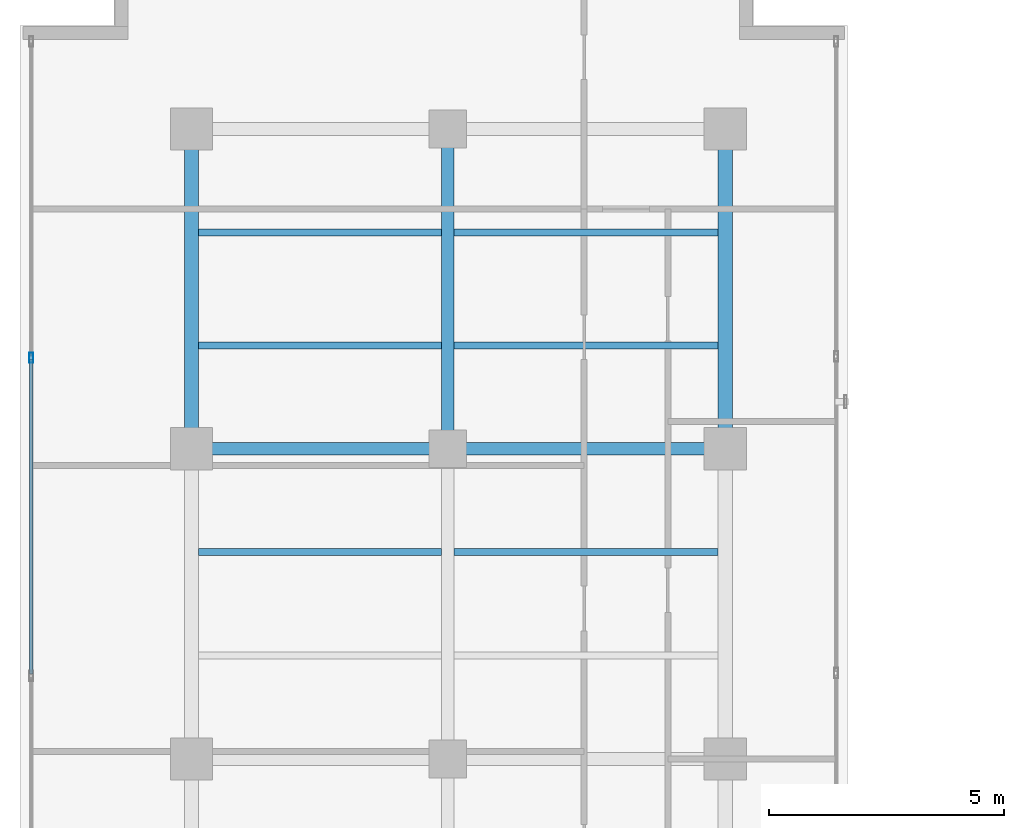
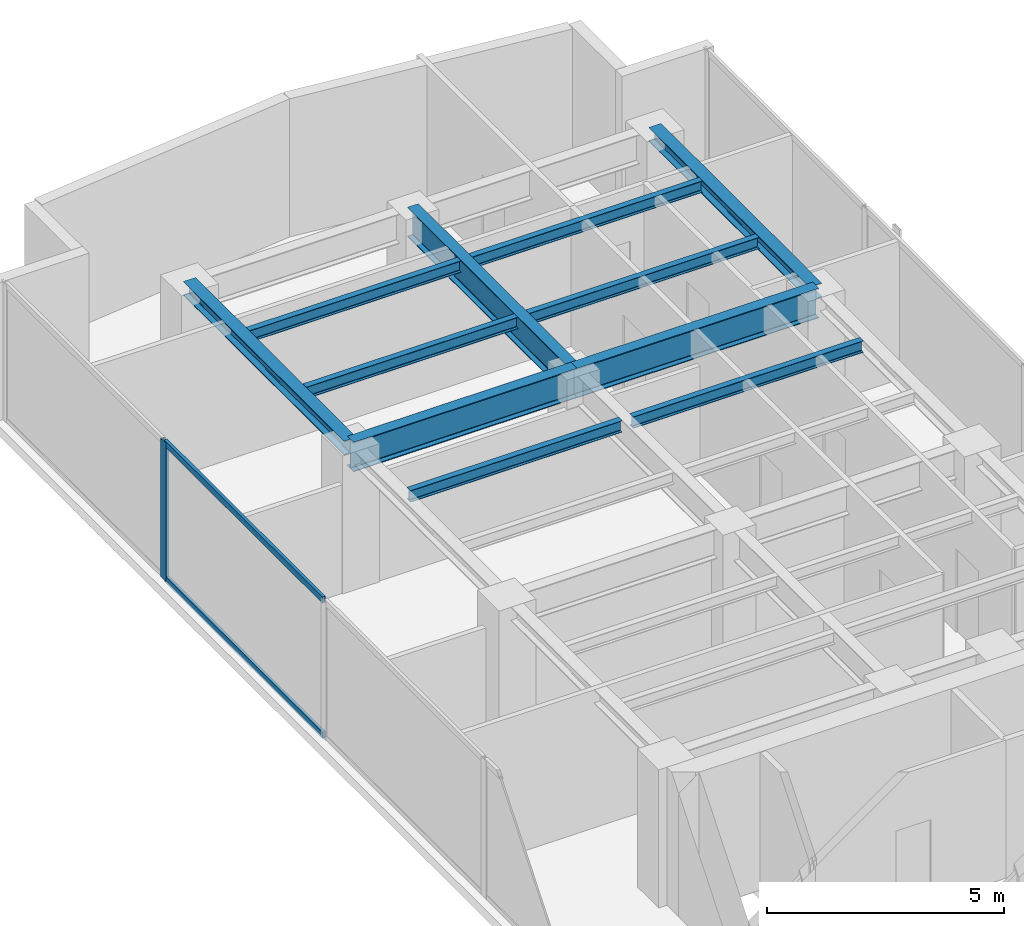
# One storey, part 13 of 22: 11 beams, 3 members, 1 element without a shape of its own.
"""IFC4 building model written with IfcOpenShell, lengths in metres."""

from ifc_helpers import new_model, si_unit, direction, frame, origin, origin_with_axes, origin_2d, place, context, subcontext, project, spatial, hollow_rectangle, i_section, extrude, source, transform, mapped, material, layer, layer_set, material_profile, profile_set, type_object, element, aggregate, save


model = new_model("IFC4")

# Units and contexts
model_context = context("Model", 3, precision=1e-05, world=origin(), true_north=direction((0.0, 1.0)))
body_context = subcontext(model_context, "Body", "Model", "MODEL_VIEW")
ifc_project = project(units=[si_unit("LENGTHUNIT", "METRE"), si_unit("AREAUNIT", "SQUARE_METRE"), si_unit("VOLUMEUNIT", "CUBIC_METRE"), si_unit("PLANEANGLEUNIT", "RADIAN"), si_unit("MASSUNIT", "GRAM", prefix="KILO")], contexts=[model_context])

# Site, building, storey
site_placement = place(None, origin())
site = spatial("IfcSite", under=ifc_project, at=site_placement, CompositionType="ELEMENT")
building_placement = place(site_placement, origin())
building = spatial("IfcBuilding", under=site, at=building_placement, Name="Kolvaren Waterfront Exchange", CompositionType="ELEMENT")
storey_placement = place(building_placement, frame((0.0, 0.0, 262.800048828125)))
storey = spatial("IfcBuildingStorey", under=building, at=storey_placement, Name="L67", CompositionType="ELEMENT", Elevation=262.800048828125)

# Beams
ifc_material_1 = material(Name="Steel S355", Category="steel")
ifc_material_profile_1 = material_profile(ifc_material_1, i_section(OverallWidth=0.300048828125, OverallDepth=0.360107421875, WebThickness=0.012451171875, FlangeThickness=0.0224609375, FilletRadius=0.027099609375, at=origin_2d()), Name="HEB360")
ifc_profile_set_1 = profile_set([ifc_material_profile_1], Name="Steel S355")
beam_type_1 = type_object("IfcBeamType", Name="STR-BM-HEB360", PredefinedType="SPANDREL", material=ifc_profile_set_1)
for number, where, z_axis, x_axis, name in (
    (1, (7.449951171875, 37.800048828125, 3.3798828125), (0.0, 1.0, 0.0), (-1.0, 0.0, 0.0), "L67 north-arm edge beam 3"),
    (2, (18.800048828125, 37.800048828125, 3.3798828125), (0.0, 1.0, 0.0), (-1.0, 0.0, 0.0), "L67 north-arm edge beam 3"),
):
    element("IfcBeam", number, at=place(storey_placement, frame(where, z_axis=z_axis, x_axis=x_axis)), inside=storey, type_object=beam_type_1, Name=name, PredefinedType="SPANDREL", context=body_context, shape_type="SweptSolid", body=[
        extrude(i_section(OverallWidth=0.300048828125, OverallDepth=0.360107421875, WebThickness=0.012451171875, FlangeThickness=0.0224609375, FilletRadius=0.027099609375, at=origin_2d()), origin(), (0.0, 0.0, 1.0), 6.800048828125),
    ])
ifc_material_profile_2 = material_profile(ifc_material_1, i_section(OverallWidth=0.14990234375, OverallDepth=0.300048828125, WebThickness=0.007080078125, FlangeThickness=0.0107421875, FilletRadius=0.014892578125, at=origin_2d()), Name="IPE300")
ifc_profile_set_2 = profile_set([ifc_material_profile_2], Name="Steel S355")
beam_type_2 = type_object("IfcBeamType", Name="STR-BM-IPE300", PredefinedType="JOIST", material=ifc_profile_set_2)
beam_1_placement = place(storey_placement, frame((7.60205078125, 35.60009765625, 3.409912109375), z_axis=(1.0, 0.0, 0.0), x_axis=(0.0, 1.0, 0.0)))
element("IfcBeam", 3, at=beam_1_placement, inside=storey, type_object=beam_type_2, Name="L67 north-arm composite joist 4A", PredefinedType="JOIST", context=body_context, shape_type="SweptSolid", body=[
    extrude(i_section(OverallWidth=0.14990234375, OverallDepth=0.300048828125, WebThickness=0.007080078125, FlangeThickness=0.0107421875, FilletRadius=0.014892578125, at=origin_2d()), origin(), (0.0, 0.0, 1.0), 5.162353515625),
])
beam_2_placement = place(storey_placement, frame((13.035400390625, 35.60009765625, 3.409912109375), z_axis=(1.0, 0.0, 0.0), x_axis=(0.0, 1.0, 0.0)))
element("IfcBeam", 4, at=beam_2_placement, inside=storey, type_object=beam_type_2, Name="L67 north-arm composite joist 4B", PredefinedType="JOIST", context=body_context, shape_type="SweptSolid", body=[
    extrude(i_section(OverallWidth=0.14990234375, OverallDepth=0.300048828125, WebThickness=0.007080078125, FlangeThickness=0.0107421875, FilletRadius=0.014892578125, at=origin_2d()), origin(), (0.0, 0.0, 1.0), 5.612548828125),
])
beam_3_placement = place(storey_placement, frame((7.60205078125, 40.0, 3.409912109375), z_axis=(1.0, 0.0, 0.0), x_axis=(0.0, 1.0, 0.0)))
element("IfcBeam", 5, at=beam_3_placement, inside=storey, type_object=beam_type_2, Name="L67 north-arm composite joist 5A", PredefinedType="JOIST", context=body_context, shape_type="SweptSolid", body=[
    extrude(i_section(OverallWidth=0.14990234375, OverallDepth=0.300048828125, WebThickness=0.007080078125, FlangeThickness=0.0107421875, FilletRadius=0.014892578125, at=origin_2d()), origin(), (0.0, 0.0, 1.0), 5.162353515625),
])
beam_4_placement = place(storey_placement, frame((13.035400390625, 40.0, 3.409912109375), z_axis=(1.0, 0.0, 0.0), x_axis=(0.0, 1.0, 0.0)))
element("IfcBeam", 6, at=beam_4_placement, inside=storey, type_object=beam_type_2, Name="L67 north-arm composite joist 5B", PredefinedType="JOIST", context=body_context, shape_type="SweptSolid", body=[
    extrude(i_section(OverallWidth=0.14990234375, OverallDepth=0.300048828125, WebThickness=0.007080078125, FlangeThickness=0.0107421875, FilletRadius=0.014892578125, at=origin_2d()), origin(), (0.0, 0.0, 1.0), 5.612548828125),
])
beam_5_placement = place(storey_placement, frame((7.60205078125, 42.39990234375, 3.409912109375), z_axis=(1.0, 0.0, 0.0), x_axis=(0.0, 1.0, 0.0)))
element("IfcBeam", 7, at=beam_5_placement, inside=storey, type_object=beam_type_2, Name="L67 north-arm composite joist 6A", PredefinedType="JOIST", context=body_context, shape_type="SweptSolid", body=[
    extrude(i_section(OverallWidth=0.14990234375, OverallDepth=0.300048828125, WebThickness=0.007080078125, FlangeThickness=0.0107421875, FilletRadius=0.014892578125, at=origin_2d()), origin(), (0.0, 0.0, 1.0), 5.162353515625),
])
beam_6_placement = place(storey_placement, frame((13.035400390625, 42.39990234375, 3.409912109375), z_axis=(1.0, 0.0, 0.0), x_axis=(0.0, 1.0, 0.0)))
element("IfcBeam", 8, at=beam_6_placement, inside=storey, type_object=beam_type_2, Name="L67 north-arm composite joist 6B", PredefinedType="JOIST", context=body_context, shape_type="SweptSolid", body=[
    extrude(i_section(OverallWidth=0.14990234375, OverallDepth=0.300048828125, WebThickness=0.007080078125, FlangeThickness=0.0107421875, FilletRadius=0.014892578125, at=origin_2d()), origin(), (0.0, 0.0, 1.0), 5.612548828125),
])
ifc_material_profile_3 = material_profile(ifc_material_1, i_section(OverallWidth=0.26708984375, OverallDepth=0.761962890625, WebThickness=0.014404296875, FlangeThickness=0.021484375, FilletRadius=0.01708984375, at=origin_2d()), Name="IPE750x173")
ifc_profile_set_3 = profile_set([ifc_material_profile_3], Name="Steel S355")
beam_type_3 = type_object("IfcBeamType", Name="STR-BM-IPE750", PredefinedType="BEAM", material=ifc_profile_set_3)
beam_7_placement = place(storey_placement, frame((7.449951171875, 37.800048828125, 3.178955078125), z_axis=(1.0, 0.0, 0.0), x_axis=(0.0, 1.0, 0.0)))
element("IfcBeam", 9, at=beam_7_placement, inside=storey, type_object=beam_type_3, Name="L67 north-arm girder 3A", PredefinedType="BEAM", context=body_context, shape_type="SweptSolid", body=[
    extrude(i_section(OverallWidth=0.26708984375, OverallDepth=0.761962890625, WebThickness=0.014404296875, FlangeThickness=0.021484375, FilletRadius=0.01708984375, at=origin_2d()), origin(), (0.0, 0.0, 1.0), 5.449951171875),
])
beam_8_placement = place(storey_placement, frame((12.89990234375, 37.800048828125, 3.178955078125), z_axis=(1.0, 0.0, 0.0), x_axis=(0.0, 1.0, 0.0)))
element("IfcBeam", 10, at=beam_8_placement, inside=storey, type_object=beam_type_3, Name="L67 north-arm girder 3B", PredefinedType="BEAM", context=body_context, shape_type="SweptSolid", body=[
    extrude(i_section(OverallWidth=0.26708984375, OverallDepth=0.761962890625, WebThickness=0.014404296875, FlangeThickness=0.021484375, FilletRadius=0.01708984375, at=origin_2d()), origin(), (0.0, 0.0, 1.0), 5.900146484375),
])
beam_9_placement = place(storey_placement, frame((12.89990234375, 37.800048828125, 3.178955078125), z_axis=(0.0, 1.0, 0.0), x_axis=(-1.0, 0.0, 0.0)))
element("IfcBeam", 11, at=beam_9_placement, inside=storey, type_object=beam_type_3, Name="L67 north-arm edge beam 3", PredefinedType="BEAM", context=body_context, shape_type="SweptSolid", body=[
    extrude(i_section(OverallWidth=0.26708984375, OverallDepth=0.761962890625, WebThickness=0.014404296875, FlangeThickness=0.021484375, FilletRadius=0.01708984375, at=origin_2d()), origin(), (0.0, 0.0, 1.0), 6.800048828125),
])

# Curtain wall, members
ifc_material_2 = material(Name="Anodised aluminium 6063-T6", Category="aluminium")
ifc_layer = layer(ifc_material_2, 0.219970703125, Name="Anodised aluminium 6063-T6")
ifc_layer_set = layer_set([ifc_layer], Name="Anodised aluminium 6063-T6")
curtain_wall_type = type_object("IfcCurtainWallType", Name="ARC-CW-SYS2", PredefinedType="USERDEFINED", material=ifc_layer_set)
curtain_wall_placement = place(storey_placement, origin())
curtain_wall = element("IfcCurtainWall", 12, at=curtain_wall_placement, inside=storey, type_object=curtain_wall_type, Name="L67 stick curtain wall CW2 (CW-L67-W)", ObjectType="STICK CURTAIN WALL", PredefinedType="USERDEFINED")
ifc_material_profile_4 = material_profile(ifc_material_2, hollow_rectangle(XDim=0.080078125, YDim=0.219970703125, WallThickness=0.0048828125, at=origin_2d()), Name="ALU-MUL-220x80x5")
ifc_profile_set_4 = profile_set([ifc_material_profile_4], Name="Anodised aluminium 6063-T6")
member_type_1 = type_object("IfcMemberType", Name="ARC-CWM-220", PredefinedType="MULLION", material=ifc_profile_set_4)
shared_shape_1 = source(origin_with_axes(), body_context, "Body", "SweptSolid", [
    extrude(hollow_rectangle(XDim=0.080078125, YDim=0.219970703125, WallThickness=0.0048828125, at=origin_2d()), origin(), (0.0, 0.0, 1.0), 3.56005859375),
])
member_1_placement = place(storey_placement, frame((4.0400390625, 39.7333984375, 0.0), z_axis=(0.0, 0.0, 1.0), x_axis=(-1.0, 0.0, 0.0)))
member_1 = element("IfcMember", 13, at=member_1_placement, type_object=member_type_1, Name="CW2 mullion 6", PredefinedType="MULLION", context=body_context, shape_type="MappedRepresentation", body=[
    mapped(shared_shape_1, transform((0.0, 0.0, 0.0), x_axis=(1.0, 0.0, 0.0), y_axis=(0.0, 1.0, 0.0), z_axis=(0.0, 0.0, 1.0), scale=1.0)),
])
ifc_material_profile_5 = material_profile(ifc_material_2, hollow_rectangle(XDim=0.074951171875, YDim=0.159912109375, WallThickness=0.00439453125, at=origin_2d()), Name="ALU-TRN-160x75x4.5")
ifc_profile_set_5 = profile_set([ifc_material_profile_5], Name="Anodised aluminium 6063-T6")
member_type_2 = type_object("IfcMemberType", Name="ARC-CWT-160", PredefinedType="USERDEFINED", material=ifc_profile_set_5)
shared_shape_2 = source(origin_with_axes(), body_context, "Body", "SweptSolid", [
    extrude(hollow_rectangle(XDim=0.074951171875, YDim=0.159912109375, WallThickness=0.00439453125, at=origin_2d()), origin(), (0.0, 0.0, 1.0), 6.686767578125),
])
member_2_placement = place(storey_placement, frame((4.0400390625, 33.006591796875, 0.037353515625), z_axis=(0.0, 1.0, 0.0), x_axis=(-1.0, 0.0, 0.0)))
member_2 = element("IfcMember", 14, at=member_2_placement, type_object=member_type_2, Name="CW2 transom 5.1", ObjectType="TRANSOM", PredefinedType="USERDEFINED", context=body_context, shape_type="MappedRepresentation", body=[
    mapped(shared_shape_2, transform((0.0, 0.0, 0.0), x_axis=(1.0, 0.0, 0.0), y_axis=(0.0, 1.0, 0.0), z_axis=(0.0, 0.0, 1.0), scale=1.0)),
])
member_3_placement = place(storey_placement, frame((4.0400390625, 33.006591796875, 3.5224609375), z_axis=(0.0, 1.0, 0.0), x_axis=(-1.0, 0.0, 0.0)))
member_3 = element("IfcMember", 15, at=member_3_placement, type_object=member_type_2, Name="CW2 transom 5.2", ObjectType="TRANSOM", PredefinedType="USERDEFINED", context=body_context, shape_type="MappedRepresentation", body=[
    mapped(shared_shape_2, transform((0.0, 0.0, 0.0), x_axis=(1.0, 0.0, 0.0), y_axis=(0.0, 1.0, 0.0), z_axis=(0.0, 0.0, 1.0), scale=1.0)),
])
aggregate(curtain_wall, [member_1, member_2, member_3])

save(model, "model.ifc")
